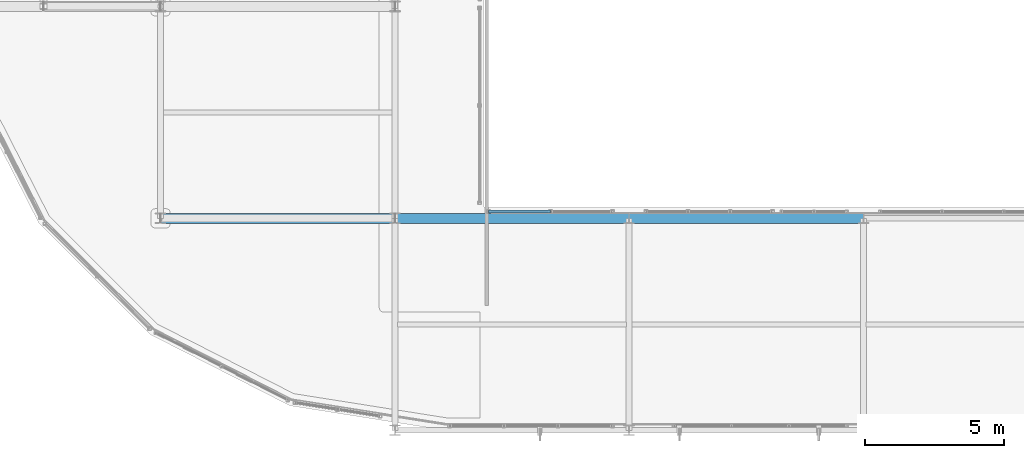
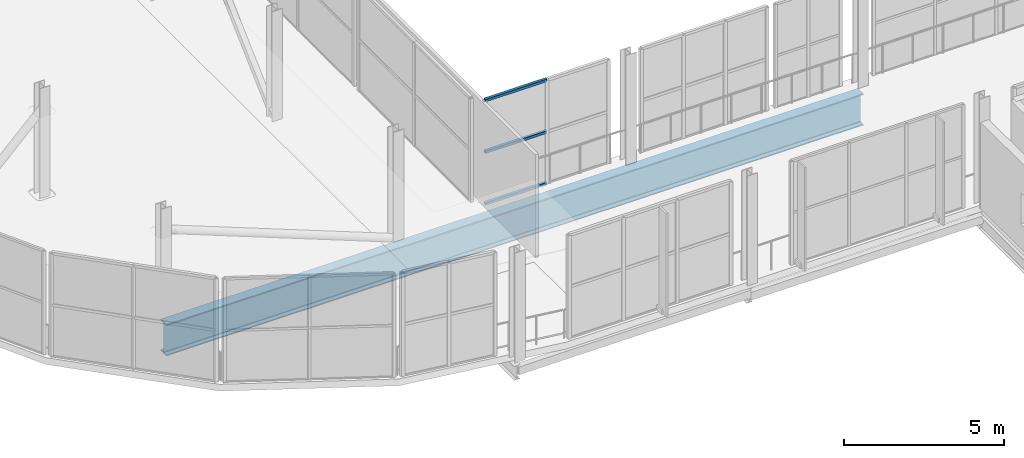
# One storey, part 20 of 217: 3 members, 1 beam, 1 element without a shape of its own.
"""IFC4 building model written with IfcOpenShell, lengths in metres."""

from ifc_helpers import new_model, si_unit, direction, frame, origin, origin_2d, place, context, subcontext, project, spatial, hollow_rectangle, i_section, extrude, material, material_profile, profile_set, type_object, element, aggregate, save


model = new_model("IFC4")

# Units and contexts
model_context = context("Model", 3, precision=1e-05, world=origin(), true_north=direction((0.0, 1.0)))
body_context = subcontext(model_context, "Body", "Model", "MODEL_VIEW")
ifc_project = project(units=[si_unit("LENGTHUNIT", "METRE"), si_unit("AREAUNIT", "SQUARE_METRE"), si_unit("VOLUMEUNIT", "CUBIC_METRE"), si_unit("PLANEANGLEUNIT", "RADIAN"), si_unit("MASSUNIT", "GRAM", prefix="KILO")], contexts=[model_context])

# Site, building, storey
site_placement = place(None, origin())
site = spatial("IfcSite", under=ifc_project, at=site_placement, CompositionType="ELEMENT")
building_placement = place(site_placement, origin())
building = spatial("IfcBuilding", under=site, at=building_placement, Name="Zuvorla Pavilion Media Centre", CompositionType="ELEMENT")
storey_placement = place(building_placement, frame((0.0, 0.0, 9.60009765625)))
storey = spatial("IfcBuildingStorey", under=building, at=storey_placement, Name="L02", CompositionType="ELEMENT", Elevation=9.60009765625)

# Beam
ifc_material_1 = material(Name="Steel S355", Category="steel")
ifc_material_profile_1 = material_profile(ifc_material_1, i_section(OverallWidth=0.360107421875, OverallDepth=1.199951171875, WebThickness=0.02001953125, FlangeThickness=0.0380859375, FilletRadius=0.02392578125, at=origin_2d()), Name="PG 1200x360x38")
ifc_profile_set_1 = profile_set([ifc_material_profile_1], Name="Steel S355")
beam_type = type_object("IfcBeamType", Name="BM-PG1200", PredefinedType="BEAM", material=ifc_profile_set_1)
beam_placement = place(storey_placement, frame((41.60009765625, 51.60009765625, -0.8681640625), z_axis=(-1.0, 0.0, 0.0), x_axis=(0.0, -1.0, 0.0)))
element("IfcBeam", 1, at=beam_placement, inside=storey, type_object=beam_type, Name="L02 beam B01 1661", PredefinedType="BEAM", context=body_context, shape_type="SweptSolid", body=[
    extrude(i_section(OverallWidth=0.360107421875, OverallDepth=1.199951171875, WebThickness=0.02001953125, FlangeThickness=0.0380859375, FilletRadius=0.02392578125, at=origin_2d()), origin(), (0.0, 0.0, 1.0), 25.2001953125),
])

# Curtain wall, members
ifc_material_2 = material(Name="Unitised anodised aluminium and solar glass curtain wall", Category="aluminium")
curtain_wall_type = type_object("IfcCurtainWallType", Name="CW-SYS-28", PredefinedType="USERDEFINED", material=ifc_material_2)
curtain_wall_placement = place(storey_placement, origin())
curtain_wall = element("IfcCurtainWall", 2, at=curtain_wall_placement, inside=storey, type_object=curtain_wall_type, Name="L02 curtain wall CW28 49", ObjectType="CURTAIN WALL", PredefinedType="USERDEFINED")
ifc_material_3 = material(Name="Anodised aluminium 6063-T6", Category="aluminium")
ifc_material_profile_2 = material_profile(ifc_material_3, hollow_rectangle(XDim=0.10009765625, YDim=0.10009765625, WallThickness=0.00439453125, at=origin_2d()), Name="ALU TRAN 100x100")
ifc_profile_set_2 = profile_set([ifc_material_profile_2], Name="Anodised aluminium 6063-T6")
member_type = type_object("IfcMemberType", Name="CW-TRAN-100", PredefinedType="USERDEFINED", material=ifc_profile_set_2)
member_1_placement = place(storey_placement, frame((28.159912109375, 51.840087890625, 0.0), z_axis=(1.0, 0.0, 0.0), x_axis=(0.0, 1.0, 0.0)))
member_1 = element("IfcMember", 3, at=member_1_placement, type_object=member_type, Name="CW28 transom 1.1", ObjectType="TRANSOM", PredefinedType="USERDEFINED", context=body_context, shape_type="SweptSolid", body=[
    extrude(hollow_rectangle(XDim=0.10009765625, YDim=0.10009765625, WallThickness=0.00439453125, at=origin_2d()), origin(), (0.0, 0.0, 1.0), 2.219970703125),
])
member_2_placement = place(storey_placement, frame((28.159912109375, 51.840087890625, 1.974853515625), z_axis=(1.0, 0.0, 0.0), x_axis=(0.0, 1.0, 0.0)))
member_2 = element("IfcMember", 4, at=member_2_placement, type_object=member_type, Name="CW28 transom 1.2", ObjectType="TRANSOM", PredefinedType="USERDEFINED", context=body_context, shape_type="SweptSolid", body=[
    extrude(hollow_rectangle(XDim=0.10009765625, YDim=0.10009765625, WallThickness=0.00439453125, at=origin_2d()), origin(), (0.0, 0.0, 1.0), 2.219970703125),
])
member_3_placement = place(storey_placement, frame((28.159912109375, 51.840087890625, 3.949951171875), z_axis=(1.0, 0.0, 0.0), x_axis=(0.0, 1.0, 0.0)))
member_3 = element("IfcMember", 5, at=member_3_placement, type_object=member_type, Name="CW28 transom 1.3", ObjectType="TRANSOM", PredefinedType="USERDEFINED", context=body_context, shape_type="SweptSolid", body=[
    extrude(hollow_rectangle(XDim=0.10009765625, YDim=0.10009765625, WallThickness=0.00439453125, at=origin_2d()), origin(), (0.0, 0.0, 1.0), 2.219970703125),
])
aggregate(curtain_wall, [member_1, member_2, member_3])

save(model, "model.ifc")
